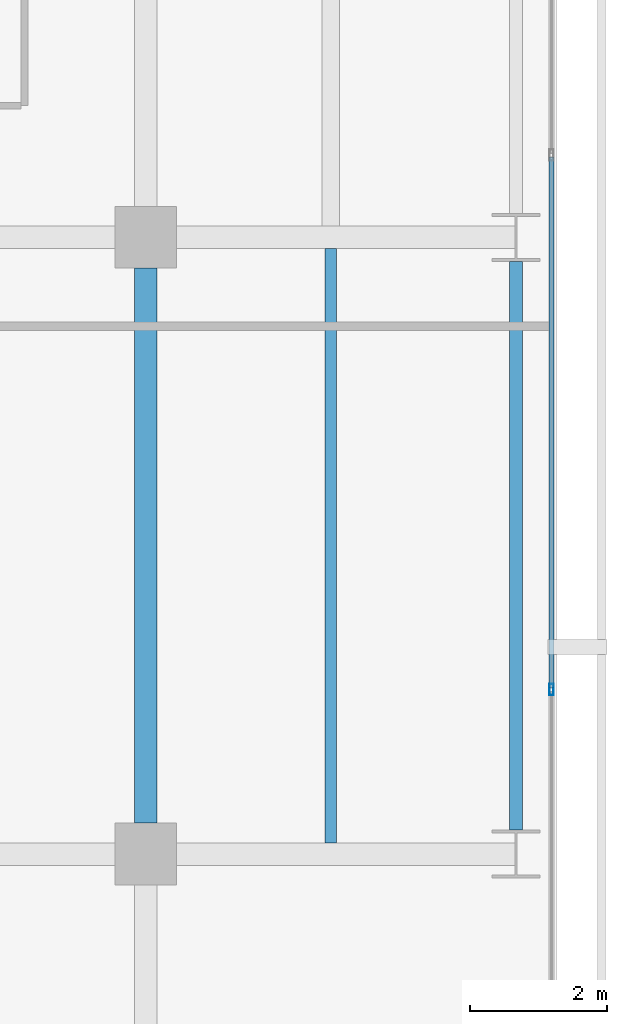
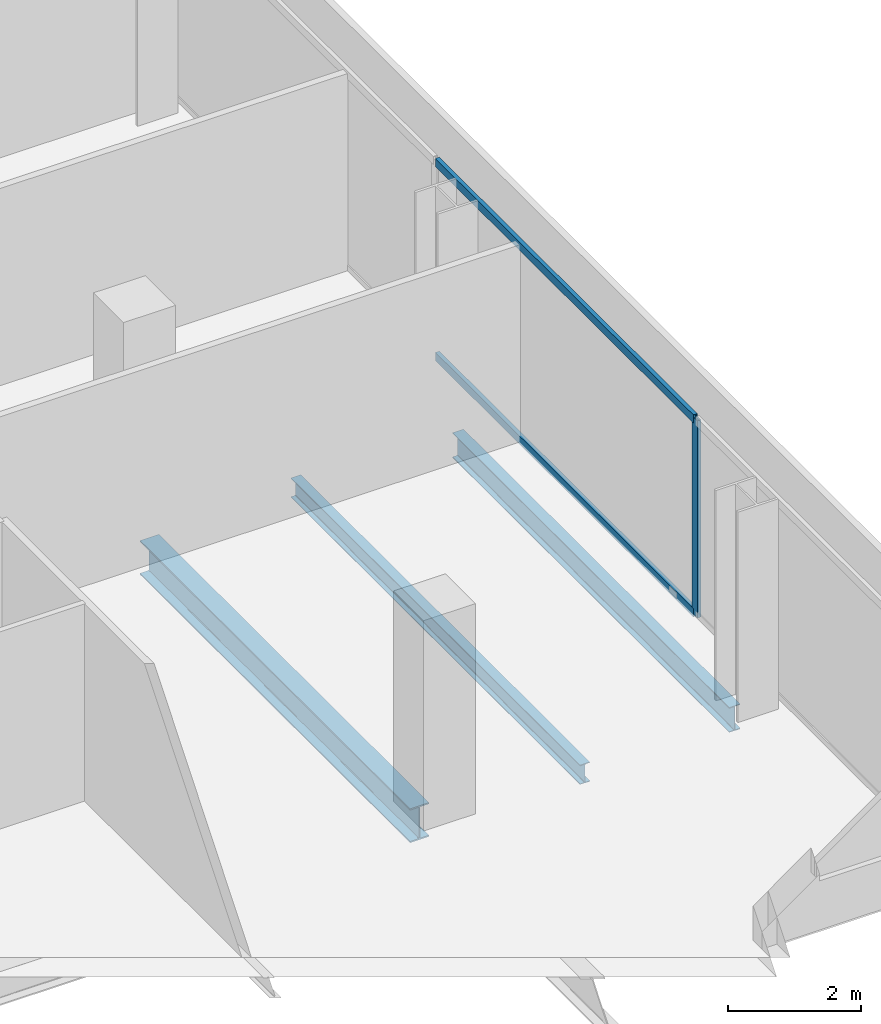
# One storey, part 17 of 40: 3 beams, 3 members, 1 element without a shape of its own.
"""IFC4 building model written with IfcOpenShell, lengths in metres."""

from ifc_helpers import new_model, si_unit, direction, frame, origin, origin_2d, place, context, subcontext, project, spatial, hollow_rectangle, i_section, extrude, material, layer, layer_set, material_profile, profile_set, type_object, element, aggregate, save


model = new_model("IFC4")

# Units and contexts
model_context = context("Model", 3, precision=1e-05, world=origin(), true_north=direction((0.0, 1.0)))
body_context = subcontext(model_context, "Body", "Model", "MODEL_VIEW")
ifc_project = project(units=[si_unit("LENGTHUNIT", "METRE"), si_unit("AREAUNIT", "SQUARE_METRE"), si_unit("VOLUMEUNIT", "CUBIC_METRE"), si_unit("PLANEANGLEUNIT", "RADIAN"), si_unit("MASSUNIT", "GRAM", prefix="KILO")], contexts=[model_context])

# Site, building, storey
site_placement = place(None, origin())
site = spatial("IfcSite", under=ifc_project, at=site_placement, CompositionType="ELEMENT")
building_placement = place(site_placement, origin())
building = spatial("IfcBuilding", under=site, at=building_placement, Name="Maruvema Waterfront Hotel and Observation Tower", CompositionType="ELEMENT")
storey_placement = place(building_placement, frame((0.0, 0.0, 50.050048828125)))
storey = spatial("IfcBuildingStorey", under=building, at=storey_placement, Name="L11", CompositionType="ELEMENT", Elevation=50.050048828125)

# Curtain wall, members
ifc_material_1 = material(Name="Anodised bronze aluminium and solar-control low-E IGU", Category="aluminium")
ifc_layer = layer(ifc_material_1, 0.159912109375, Name="Zone 1 Bronze Inner Thermal Curtain Wall System CW-02")
ifc_layer_set = layer_set([ifc_layer], Name="Anodised bronze aluminium and solar-control low-E IGU")
curtain_wall_type = type_object("IfcCurtainWallType", Name="Zone 1 Bronze Inner Thermal Curtain Wall System CW-02", PredefinedType="USERDEFINED", material=ifc_layer_set)
curtain_wall_placement = place(storey_placement, origin())
curtain_wall = element("IfcCurtainWall", 1, at=curtain_wall_placement, inside=storey, type_object=curtain_wall_type, Name="L11 Curtain Wall CW-L11-E", ObjectType="UNITISED CURTAIN WALL", PredefinedType="USERDEFINED")
ifc_material_2 = material(Name="Anodised architectural bronze aluminium", Category="aluminium")
ifc_material_profile_1 = material_profile(ifc_material_2, hollow_rectangle(XDim=0.070068359375, YDim=0.14990234375, WallThickness=0.00390625, at=origin_2d()), Name="ALU-T70x150")
ifc_profile_set_1 = profile_set([ifc_material_profile_1], Name="Anodised architectural bronze aluminium")
member_type_1 = type_object("IfcMemberType", Name="Curtain Wall Horizontal Transom ALU-T70x150", PredefinedType="USERDEFINED", material=ifc_profile_set_1)
member_1_placement = place(storey_placement, frame((64.719970703125, 11.429931640625, 0.030029296875), z_axis=(0.0, 1.0, 0.0), x_axis=(-1.0, 0.0, 0.0)))
member_1 = element("IfcMember", 2, at=member_1_placement, type_object=member_type_1, Name="CW-02 transom 2.1", ObjectType="TRANSOM", PredefinedType="USERDEFINED", context=body_context, shape_type="SweptSolid", body=[
    extrude(hollow_rectangle(XDim=0.070068359375, YDim=0.14990234375, WallThickness=0.00390625, at=origin_2d()), origin(), (0.0, 0.0, 1.0), 7.739990234375),
])
member_2_placement = place(storey_placement, frame((64.719970703125, 11.429931640625, 3.579833984375), z_axis=(0.0, 1.0, 0.0), x_axis=(-1.0, 0.0, 0.0)))
member_2 = element("IfcMember", 3, at=member_2_placement, type_object=member_type_1, Name="CW-02 transom 2.2", ObjectType="TRANSOM", PredefinedType="USERDEFINED", context=body_context, shape_type="SweptSolid", body=[
    extrude(hollow_rectangle(XDim=0.070068359375, YDim=0.14990234375, WallThickness=0.00390625, at=origin_2d()), origin(), (0.0, 0.0, 1.0), 7.739990234375),
])
ifc_material_3 = material(Name="Anodised architectural bronze aluminium", Category="aluminium")
ifc_material_profile_2 = material_profile(ifc_material_3, hollow_rectangle(XDim=0.06494140625, YDim=0.1650390625, WallThickness=0.00390625, at=origin_2d()), Name="ALU-M65x165")
ifc_profile_set_2 = profile_set([ifc_material_profile_2], Name="Anodised architectural bronze aluminium")
member_type_2 = type_object("IfcMemberType", Name="Curtain Wall Primary Mullion ALU-M65x165", PredefinedType="MULLION", material=ifc_profile_set_2)
member_3_placement = place(storey_placement, frame((64.719970703125, 11.39990234375, 0.0), z_axis=(0.0, 0.0, 1.0), x_axis=(-1.0, 0.0, 0.0)))
member_3 = element("IfcMember", 4, at=member_3_placement, type_object=member_type_2, Name="CW-02 mullion 2", PredefinedType="MULLION", context=body_context, shape_type="SweptSolid", body=[
    extrude(hollow_rectangle(XDim=0.06494140625, YDim=0.1650390625, WallThickness=0.00390625, at=origin_2d()), origin(), (0.0, 0.0, 1.0), 3.60986328125),
])
aggregate(curtain_wall, [member_3, member_1, member_2])

# Beams
ifc_material_4 = material(Name="Steel ASTM A572 Grade 50", Category="steel")
ifc_material_profile_3 = material_profile(ifc_material_4, i_section(OverallWidth=0.18994140625, OverallDepth=0.45703125, WebThickness=0.009033203125, FlangeThickness=0.014404296875, FilletRadius=0.014892578125, at=origin_2d()), Name="W460x74.0")
ifc_profile_set_3 = profile_set([ifc_material_profile_3], Name="Steel ASTM A572 Grade 50")
beam_type_1 = type_object("IfcBeamType", Name="Perimeter Spandrel Beam W460x74.0", PredefinedType="SPANDREL", material=ifc_profile_set_3)
beam_1_placement = place(storey_placement, frame((64.199951171875, 9.35009765625, -0.468505859375), z_axis=(0.0, 1.0, 0.0), x_axis=(-1.0, 0.0, 0.0)))
element("IfcBeam", 5, at=beam_1_placement, inside=storey, type_object=beam_type_1, Name="L11 Floor Girder NS-33", PredefinedType="SPANDREL", context=body_context, shape_type="SweptSolid", body=[
    extrude(i_section(OverallWidth=0.18994140625, OverallDepth=0.45703125, WebThickness=0.009033203125, FlangeThickness=0.014404296875, FilletRadius=0.014892578125, at=origin_2d()), origin(), (0.0, 0.0, 1.0), 8.2998046875),
])
ifc_material_5 = material(Name="Steel ASTM A572 Grade 50", Category="steel")
ifc_material_profile_4 = material_profile(ifc_material_5, i_section(OverallWidth=0.326904296875, OverallDepth=0.6220703125, WebThickness=0.015380859375, FlangeThickness=0.0244140625, FilletRadius=0.01806640625, at=origin_2d()), Name="W610x195.0")
ifc_profile_set_4 = profile_set([ifc_material_profile_4], Name="Steel ASTM A572 Grade 50")
beam_type_2 = type_object("IfcBeamType", Name="Primary Floor Girder W610x195.0", PredefinedType="BEAM", material=ifc_profile_set_4)
beam_2_placement = place(storey_placement, frame((58.800048828125, 9.449951171875, -0.551025390625), z_axis=(0.0, 1.0, 0.0), x_axis=(-1.0, 0.0, 0.0)))
element("IfcBeam", 6, at=beam_2_placement, inside=storey, type_object=beam_type_2, Name="L11 Floor Girder NS-28", PredefinedType="BEAM", context=body_context, shape_type="SweptSolid", body=[
    extrude(i_section(OverallWidth=0.326904296875, OverallDepth=0.6220703125, WebThickness=0.015380859375, FlangeThickness=0.0244140625, FilletRadius=0.01806640625, at=origin_2d()), origin(), (0.0, 0.0, 1.0), 8.10009765625),
])
ifc_material_6 = material(Name="Steel ASTM A572 Grade 50", Category="steel")
ifc_material_profile_5 = material_profile(ifc_material_6, i_section(OverallWidth=0.1708984375, OverallDepth=0.35498046875, WebThickness=0.007080078125, FlangeThickness=0.01171875, FilletRadius=0.014892578125, at=origin_2d()), Name="W360x51.0")
ifc_profile_set_5 = profile_set([ifc_material_profile_5], Name="Steel ASTM A572 Grade 50")
beam_type_3 = type_object("IfcBeamType", Name="Secondary Floor Joist W360x51.0", PredefinedType="JOIST", material=ifc_profile_set_5)
beam_3_placement = place(storey_placement, frame((61.5, 9.16357421875, -0.41748046875), z_axis=(0.0, 1.0, 0.0), x_axis=(-1.0, 0.0, 0.0)))
element("IfcBeam", 7, at=beam_3_placement, inside=storey, type_object=beam_type_3, Name="L11 Secondary Floor Joist JS-21", PredefinedType="JOIST", context=body_context, shape_type="SweptSolid", body=[
    extrude(i_section(OverallWidth=0.1708984375, OverallDepth=0.35498046875, WebThickness=0.007080078125, FlangeThickness=0.01171875, FilletRadius=0.014892578125, at=origin_2d()), origin(), (0.0, 0.0, 1.0), 8.6728515625),
])

save(model, "model.ifc")
